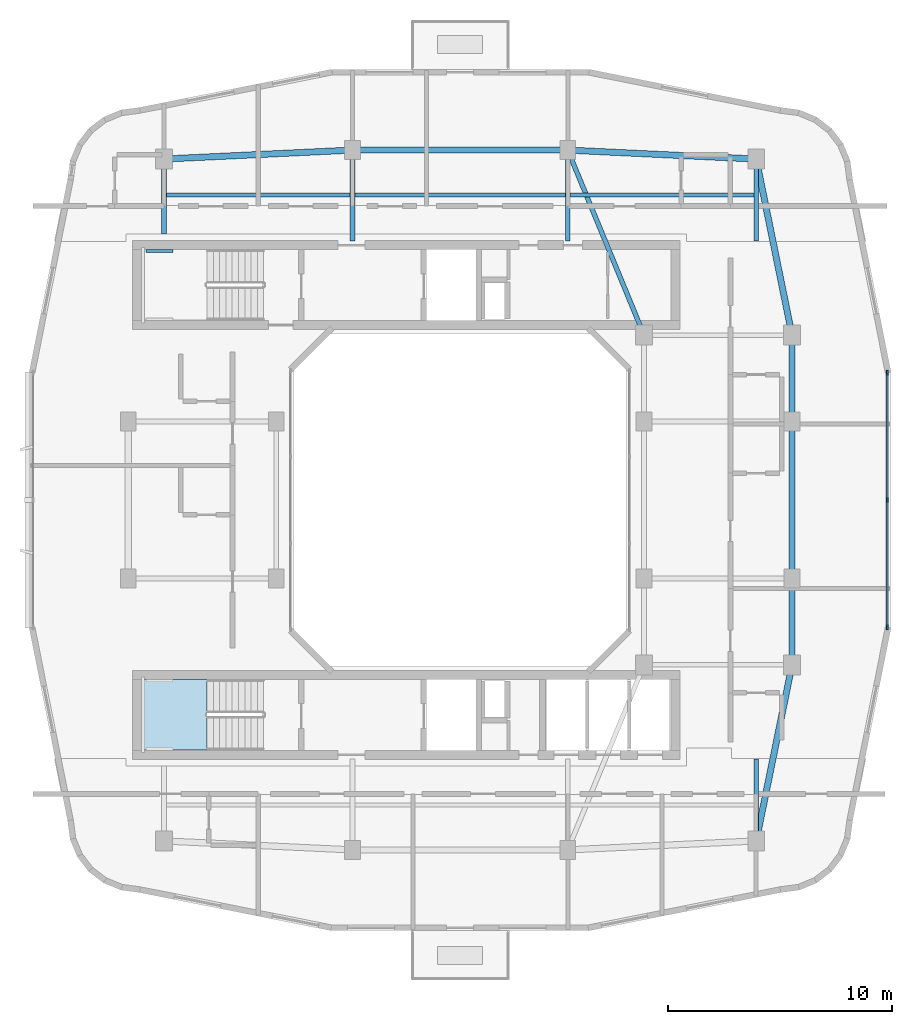
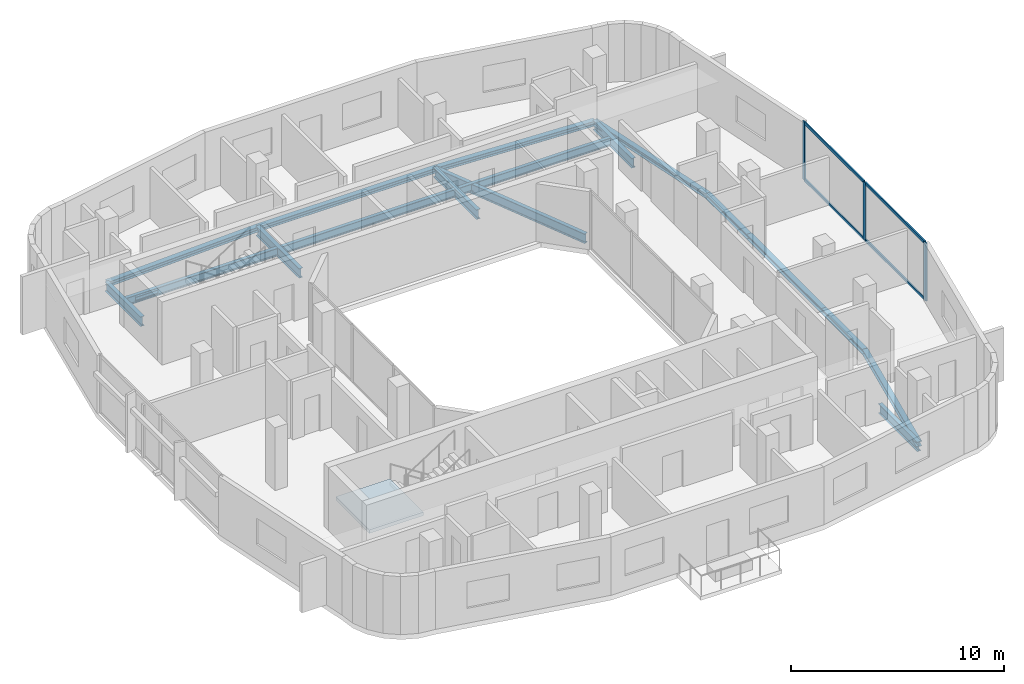
# One storey, part 4 of 13: 18 beams, 7 members, 1 slab, 2 elements without a shape of their own.
"""IFC4 building model written with IfcOpenShell, lengths in metres."""

from ifc_helpers import new_model, si_unit, derived_unit, direction, frame, origin, origin_2d, place, context, subcontext, project, spatial, polyline, rectangle, i_section, outline, extrude, material, layer, layer_set, material_profile, profile_set, type_object, element, aggregate, save


model = new_model("IFC4")

# Units and contexts
model_context = context("Model", 3, precision=1e-05, world=origin(), true_north=direction((0.0, 1.0)))
body_context = subcontext(model_context, "Body", "Model", "MODEL_VIEW")
ifc_project = project(units=[si_unit("LENGTHUNIT", "METRE"), si_unit("AREAUNIT", "SQUARE_METRE"), si_unit("VOLUMEUNIT", "CUBIC_METRE"), si_unit("PLANEANGLEUNIT", "RADIAN"), si_unit("MASSUNIT", "GRAM", prefix="KILO"), derived_unit("THERMALTRANSMITTANCEUNIT", [(si_unit("POWERUNIT", "WATT"), 1), (si_unit("LENGTHUNIT", "METRE"), -2), (si_unit("THERMODYNAMICTEMPERATUREUNIT", "KELVIN"), -1)])], contexts=[model_context])

# Site, building, storey
site_placement = place(None, origin())
site = spatial("IfcSite", under=ifc_project, at=site_placement, CompositionType="ELEMENT")
building_placement = place(site_placement, origin())
building = spatial("IfcBuilding", under=site, at=building_placement, Name="Kivonza Crest Hotel", CompositionType="ELEMENT")
storey_placement = place(building_placement, frame((0.0, 0.0, 231.5)))
storey = spatial("IfcBuildingStorey", under=building, at=storey_placement, Name="L63", CompositionType="ELEMENT", Elevation=231.5)

# Beams
ifc_material_1 = material(Name="Steel S355", Category="steel")
ifc_material_profile_1 = material_profile(ifc_material_1, i_section(OverallWidth=0.280029296875, OverallDepth=0.280029296875, WebThickness=0.010498046875, FlangeThickness=0.01806640625, FilletRadius=0.02392578125, at=origin_2d()), Name="HEB 280")
ifc_profile_set_1 = profile_set([ifc_material_profile_1], Name="Steel S355")
beam_type_1 = type_object("IfcBeamType", Name="BM-HEB280", PredefinedType="SPANDREL", material=ifc_profile_set_1)
beam_1_placement = place(storey_placement, frame((34.199951171875, 9.800048828125, -0.419921875), z_axis=(0.199730733965, 0.979850822273, 0.0), x_axis=(-0.979850822273, 0.199730733965, 0.0)))
element("IfcBeam", 1, at=beam_1_placement, inside=storey, type_object=beam_type_1, Name="Tower T1 L63 perimeter spandrel SE-PSE", PredefinedType="SPANDREL", context=body_context, shape_type="SweptSolid", body=[
    extrude(i_section(OverallWidth=0.280029296875, OverallDepth=0.280029296875, WebThickness=0.010498046875, FlangeThickness=0.01806640625, FilletRadius=0.02392578125, at=origin_2d()), origin(), (0.0, 0.0, 1.0), 8.01123046875),
])
beam_2_placement = place(storey_placement, frame((35.800048828125, 17.64990234375, -0.419921875), z_axis=(0.0, 1.0, 0.0), x_axis=(-1.0, 0.0, 0.0)))
element("IfcBeam", 2, at=beam_2_placement, inside=storey, type_object=beam_type_1, Name="Tower T1 L63 perimeter spandrel PSE-E1", PredefinedType="SPANDREL", context=body_context, shape_type="SweptSolid", body=[
    extrude(i_section(OverallWidth=0.280029296875, OverallDepth=0.280029296875, WebThickness=0.010498046875, FlangeThickness=0.01806640625, FilletRadius=0.02392578125, at=origin_2d()), origin(), (0.0, 0.0, 1.0), 3.85009765625),
])
beam_3_placement = place(storey_placement, frame((35.800048828125, 21.5, -0.419921875), z_axis=(0.0, 1.0, 0.0), x_axis=(-1.0, 0.0, 0.0)))
element("IfcBeam", 3, at=beam_3_placement, inside=storey, type_object=beam_type_1, Name="Tower T1 L63 perimeter spandrel E1-E2", PredefinedType="SPANDREL", context=body_context, shape_type="SweptSolid", body=[
    extrude(i_section(OverallWidth=0.280029296875, OverallDepth=0.280029296875, WebThickness=0.010498046875, FlangeThickness=0.01806640625, FilletRadius=0.02392578125, at=origin_2d()), origin(), (0.0, 0.0, 1.0), 7.0),
])
beam_4_placement = place(storey_placement, frame((35.800048828125, 28.5, -0.419921875), z_axis=(0.0, 1.0, 0.0), x_axis=(-1.0, 0.0, 0.0)))
element("IfcBeam", 4, at=beam_4_placement, inside=storey, type_object=beam_type_1, Name="Tower T1 L63 perimeter spandrel E2-PNE", PredefinedType="SPANDREL", context=body_context, shape_type="SweptSolid", body=[
    extrude(i_section(OverallWidth=0.280029296875, OverallDepth=0.280029296875, WebThickness=0.010498046875, FlangeThickness=0.01806640625, FilletRadius=0.02392578125, at=origin_2d()), origin(), (0.0, 0.0, 1.0), 3.85009765625),
])
beam_5_placement = place(storey_placement, frame((35.800048828125, 32.35009765625, -0.419921875), z_axis=(-0.199730733965, 0.979850822273, 0.0), x_axis=(-0.979850822273, -0.199730733965, 0.0)))
element("IfcBeam", 5, at=beam_5_placement, inside=storey, type_object=beam_type_1, Name="Tower T1 L63 perimeter spandrel PNE-NE", PredefinedType="SPANDREL", context=body_context, shape_type="SweptSolid", body=[
    extrude(i_section(OverallWidth=0.280029296875, OverallDepth=0.280029296875, WebThickness=0.010498046875, FlangeThickness=0.01806640625, FilletRadius=0.02392578125, at=origin_2d()), origin(), (0.0, 0.0, 1.0), 8.01123046875),
])
beam_6_placement = place(storey_placement, frame((34.199951171875, 40.199951171875, -0.419921875), z_axis=(-0.998867283688, 0.047583080799, 0.0), x_axis=(-0.047583080799, -0.998867283688, 0.0)))
element("IfcBeam", 6, at=beam_6_placement, inside=storey, type_object=beam_type_1, Name="Tower T1 L63 perimeter spandrel NE-N2", PredefinedType="SPANDREL", context=body_context, shape_type="SweptSolid", body=[
    extrude(i_section(OverallWidth=0.280029296875, OverallDepth=0.280029296875, WebThickness=0.010498046875, FlangeThickness=0.01806640625, FilletRadius=0.02392578125, at=origin_2d()), origin(), (0.0, 0.0, 1.0), 8.409423828125),
])
beam_7_placement = place(storey_placement, frame((25.800048828125, 40.60009765625, -0.419921875), z_axis=(-1.0, 0.0, 0.0), x_axis=(0.0, -1.0, 0.0)))
element("IfcBeam", 7, at=beam_7_placement, inside=storey, type_object=beam_type_1, Name="Tower T1 L63 perimeter spandrel N2-N1", PredefinedType="SPANDREL", context=body_context, shape_type="SweptSolid", body=[
    extrude(i_section(OverallWidth=0.280029296875, OverallDepth=0.280029296875, WebThickness=0.010498046875, FlangeThickness=0.01806640625, FilletRadius=0.02392578125, at=origin_2d()), origin(), (0.0, 0.0, 1.0), 9.60009765625),
])
beam_8_placement = place(storey_placement, frame((16.199951171875, 40.60009765625, -0.419921875), z_axis=(-0.998867283688, -0.047583080799, 0.0), x_axis=(0.047583080799, -0.998867283688, 0.0)))
element("IfcBeam", 8, at=beam_8_placement, inside=storey, type_object=beam_type_1, Name="Tower T1 L63 perimeter spandrel N1-NW", PredefinedType="SPANDREL", context=body_context, shape_type="SweptSolid", body=[
    extrude(i_section(OverallWidth=0.280029296875, OverallDepth=0.280029296875, WebThickness=0.010498046875, FlangeThickness=0.01806640625, FilletRadius=0.02392578125, at=origin_2d()), origin(), (0.0, 0.0, 1.0), 8.409423828125),
])
ifc_material_profile_2 = material_profile(ifc_material_1, i_section(OverallWidth=0.18994140625, OverallDepth=0.449951171875, WebThickness=0.009521484375, FlangeThickness=0.0146484375, FilletRadius=0.02099609375, at=origin_2d()), Name="IPE 450")
ifc_profile_set_2 = profile_set([ifc_material_profile_2], Name="Steel S355")
beam_type_2 = type_object("IfcBeamType", Name="BM-IPE450", PredefinedType="JOIST", material=ifc_profile_set_2)
beam_9_placement = place(storey_placement, frame((7.8798828125, 38.60009765625, -0.5048828125), z_axis=(1.0, 0.0, 0.0), x_axis=(0.0, 1.0, 0.0)))
element("IfcBeam", 9, at=beam_9_placement, inside=storey, type_object=beam_type_2, Name="Tower T1 L63 North-West floor joist", PredefinedType="JOIST", context=body_context, shape_type="SweptSolid", body=[
    extrude(i_section(OverallWidth=0.18994140625, OverallDepth=0.449951171875, WebThickness=0.009521484375, FlangeThickness=0.0146484375, FilletRadius=0.02099609375, at=origin_2d()), origin(), (0.0, 0.0, 1.0), 8.240234375),
])
beam_10_placement = place(storey_placement, frame((16.280029296875, 38.60009765625, -0.5048828125), z_axis=(1.0, 0.0, 0.0), x_axis=(0.0, 1.0, 0.0)))
element("IfcBeam", 10, at=beam_10_placement, inside=storey, type_object=beam_type_2, Name="Tower T1 L63 North-Mid floor joist", PredefinedType="JOIST", context=body_context, shape_type="SweptSolid", body=[
    extrude(i_section(OverallWidth=0.18994140625, OverallDepth=0.449951171875, WebThickness=0.009521484375, FlangeThickness=0.0146484375, FilletRadius=0.02099609375, at=origin_2d()), origin(), (0.0, 0.0, 1.0), 9.43994140625),
])
beam_11_placement = place(storey_placement, frame((25.8798828125, 38.60009765625, -0.5048828125), z_axis=(1.0, 0.0, 0.0), x_axis=(0.0, 1.0, 0.0)))
element("IfcBeam", 11, at=beam_11_placement, inside=storey, type_object=beam_type_2, Name="Tower T1 L63 North-East floor joist", PredefinedType="JOIST", context=body_context, shape_type="SweptSolid", body=[
    extrude(i_section(OverallWidth=0.18994140625, OverallDepth=0.449951171875, WebThickness=0.009521484375, FlangeThickness=0.0146484375, FilletRadius=0.02099609375, at=origin_2d()), origin(), (0.0, 0.0, 1.0), 8.240234375),
])
ifc_material_profile_3 = material_profile(ifc_material_1, i_section(OverallWidth=0.2099609375, OverallDepth=0.550048828125, WebThickness=0.010986328125, FlangeThickness=0.01708984375, FilletRadius=0.02392578125, at=origin_2d()), Name="IPE 550")
ifc_profile_set_3 = profile_set([ifc_material_profile_3], Name="Steel S355")
beam_type_3 = type_object("IfcBeamType", Name="BM-IPE550", PredefinedType="BEAM", material=ifc_profile_set_3)
beam_12_placement = place(storey_placement, frame((25.800048828125, 40.60009765625, -0.554931640625), z_axis=(0.381022260404, -0.924565864109, 0.0), x_axis=(0.924565864109, 0.381022260404, 0.0)))
element("IfcBeam", 12, at=beam_12_placement, inside=storey, type_object=beam_type_3, Name="Tower T1 L63 primary girder N1-TNE", PredefinedType="BEAM", context=body_context, shape_type="SweptSolid", body=[
    extrude(i_section(OverallWidth=0.2099609375, OverallDepth=0.550048828125, WebThickness=0.010986328125, FlangeThickness=0.01708984375, FilletRadius=0.02392578125, at=origin_2d()), origin(), (0.0, 0.0, 1.0), 8.923095703125),
])
beam_13_placement = place(storey_placement, frame((34.199951171875, 9.800048828125, -0.554931640625), z_axis=(0.0, 1.0, 0.0), x_axis=(-1.0, 0.0, 0.0)))
element("IfcBeam", 13, at=beam_13_placement, inside=storey, type_object=beam_type_3, Name="Tower T1 L63 radial core girder RSE", PredefinedType="BEAM", context=body_context, shape_type="SweptSolid", body=[
    extrude(i_section(OverallWidth=0.2099609375, OverallDepth=0.550048828125, WebThickness=0.010986328125, FlangeThickness=0.01708984375, FilletRadius=0.02392578125, at=origin_2d()), origin(), (0.0, 0.0, 1.0), 3.64990234375),
])
beam_14_placement = place(storey_placement, frame((7.800048828125, 40.199951171875, -0.554931640625), z_axis=(0.0, -1.0, 0.0), x_axis=(1.0, 0.0, 0.0)))
element("IfcBeam", 14, at=beam_14_placement, inside=storey, type_object=beam_type_3, Name="Tower T1 L63 radial core girder RNW", PredefinedType="BEAM", context=body_context, shape_type="SweptSolid", body=[
    extrude(i_section(OverallWidth=0.2099609375, OverallDepth=0.550048828125, WebThickness=0.010986328125, FlangeThickness=0.01708984375, FilletRadius=0.02392578125, at=origin_2d()), origin(), (0.0, 0.0, 1.0), 3.349853515625),
])
for number, where, z_axis, x_axis, name in (
    (15, (16.199951171875, 40.60009765625, -0.554931640625), (0.0, -1.0, 0.0), (1.0, 0.0, 0.0), "Tower T1 L63 radial core girder RN1"),
    (16, (25.800048828125, 40.60009765625, -0.554931640625), (0.0, -1.0, 0.0), (1.0, 0.0, 0.0), "Tower T1 L63 radial core girder RN2"),
):
    element("IfcBeam", number, at=place(storey_placement, frame(where, z_axis=z_axis, x_axis=x_axis)), inside=storey, type_object=beam_type_3, Name=name, PredefinedType="BEAM", context=body_context, shape_type="SweptSolid", body=[
        extrude(i_section(OverallWidth=0.2099609375, OverallDepth=0.550048828125, WebThickness=0.010986328125, FlangeThickness=0.01708984375, FilletRadius=0.02392578125, at=origin_2d()), origin(), (0.0, 0.0, 1.0), 4.050048828125),
    ])
beam_15_placement = place(storey_placement, frame((34.199951171875, 40.199951171875, -0.554931640625), z_axis=(0.0, -1.0, 0.0), x_axis=(1.0, 0.0, 0.0)))
element("IfcBeam", 17, at=beam_15_placement, inside=storey, type_object=beam_type_3, Name="Tower T1 L63 radial core girder RNE", PredefinedType="BEAM", context=body_context, shape_type="SweptSolid", body=[
    extrude(i_section(OverallWidth=0.2099609375, OverallDepth=0.550048828125, WebThickness=0.010986328125, FlangeThickness=0.01708984375, FilletRadius=0.02392578125, at=origin_2d()), origin(), (0.0, 0.0, 1.0), 3.64990234375),
])
ifc_material_profile_4 = material_profile(ifc_material_1, i_section(OverallWidth=0.1201171875, OverallDepth=0.239990234375, WebThickness=0.006103515625, FlangeThickness=0.009765625, FilletRadius=0.014892578125, at=origin_2d()), Name="IPE 240")
ifc_profile_set_4 = profile_set([ifc_material_profile_4], Name="Steel S355")
beam_type_4 = type_object("IfcBeamType", Name="BM-LLDG-240", PredefinedType="BEAM", material=ifc_profile_set_4)
beam_16_placement = place(storey_placement, frame((6.989990234375, 36.10009765625, 1.47998046875), z_axis=(1.0, 0.0, 0.0), x_axis=(0.0, 1.0, 0.0)))
element("IfcBeam", 18, at=beam_16_placement, inside=storey, type_object=beam_type_4, Name="Stair ST-T1-N L63 North landing corbel", PredefinedType="BEAM", context=body_context, shape_type="SweptSolid", body=[
    extrude(i_section(OverallWidth=0.1201171875, OverallDepth=0.239990234375, WebThickness=0.006103515625, FlangeThickness=0.009765625, FilletRadius=0.014892578125, at=origin_2d()), origin(), (0.0, 0.0, 1.0), 1.2099609375),
])

# Curtain wall, members
ifc_material_2 = material(Name="Anodised bronze aluminium and low-E double glazing", Category="aluminium")
ifc_layer_1 = layer(ifc_material_2, 0.179931640625)
ifc_layer_set_1 = layer_set([ifc_layer_1], Name="Anodised bronze aluminium and low-E double glazing")
curtain_wall_type = type_object("IfcCurtainWallType", Name="CW-SYS-3", PredefinedType="NOTDEFINED", material=ifc_layer_set_1)
curtain_wall_placement = place(storey_placement, origin())
curtain_wall = element("IfcCurtainWall", 19, at=curtain_wall_placement, inside=storey, type_object=curtain_wall_type, Name="L63 unitised curtain wall CW-T1-L63-17", PredefinedType="NOTDEFINED")
ifc_material_3 = material(Name="Anodised bronze aluminium", Category="aluminium")
ifc_material_profile_5 = material_profile(ifc_material_3, rectangle(XDim=0.074951171875, YDim=0.219970703125, at=origin_2d()), Name="CW-M 75x220")
ifc_profile_set_5 = profile_set([ifc_material_profile_5], Name="Anodised bronze aluminium")
member_type_1 = type_object("IfcMemberType", Name="CW-MUL-75x220", PredefinedType="MULLION", material=ifc_profile_set_5)
member_1_placement = place(storey_placement, frame((40.0400390625, 19.3173828125, 0.0), z_axis=(0.0, 0.0, 1.0), x_axis=(-1.0, 0.0, 0.0)))
member_1 = element("IfcMember", 20, at=member_1_placement, type_object=member_type_1, Name="CW-3 mullion 1", PredefinedType="MULLION", context=body_context, shape_type="SweptSolid", body=[
    extrude(rectangle(XDim=0.074951171875, YDim=0.219970703125, at=origin_2d()), origin(), (0.0, 0.0, 1.0), 3.320068359375),
])
member_2_placement = place(storey_placement, frame((40.0400390625, 25.0, 0.0), z_axis=(0.0, 0.0, 1.0), x_axis=(-1.0, 0.0, 0.0)))
member_2 = element("IfcMember", 21, at=member_2_placement, type_object=member_type_1, Name="CW-3 mullion 2", PredefinedType="MULLION", context=body_context, shape_type="SweptSolid", body=[
    extrude(rectangle(XDim=0.074951171875, YDim=0.219970703125, at=origin_2d()), origin(), (0.0, 0.0, 1.0), 3.320068359375),
])
member_3_placement = place(storey_placement, frame((40.0400390625, 30.6826171875, 0.0), z_axis=(0.0, 0.0, 1.0), x_axis=(-1.0, 0.0, 0.0)))
member_3 = element("IfcMember", 22, at=member_3_placement, type_object=member_type_1, Name="CW-3 mullion 3", PredefinedType="MULLION", context=body_context, shape_type="SweptSolid", body=[
    extrude(rectangle(XDim=0.074951171875, YDim=0.219970703125, at=origin_2d()), origin(), (0.0, 0.0, 1.0), 3.320068359375),
])
ifc_material_profile_6 = material_profile(ifc_material_3, rectangle(XDim=0.074951171875, YDim=0.159912109375, at=origin_2d()), Name="CW-T 75x160")
ifc_profile_set_6 = profile_set([ifc_material_profile_6], Name="Anodised bronze aluminium")
member_type_2 = type_object("IfcMemberType", Name="CW-TRN-75x160", PredefinedType="USERDEFINED", material=ifc_profile_set_6)
member_4_placement = place(storey_placement, frame((40.0400390625, 19.35498046875, 0.03759765625), z_axis=(0.0, 1.0, 0.0), x_axis=(-1.0, 0.0, 0.0)))
member_4 = element("IfcMember", 23, at=member_4_placement, type_object=member_type_2, Name="CW-3 transom 1.1", ObjectType="TRANSOM", PredefinedType="USERDEFINED", context=body_context, shape_type="SweptSolid", body=[
    extrude(rectangle(XDim=0.074951171875, YDim=0.159912109375, at=origin_2d()), origin(), (0.0, 0.0, 1.0), 5.607421875),
])
member_5_placement = place(storey_placement, frame((40.0400390625, 19.35498046875, 3.282470703125), z_axis=(0.0, 1.0, 0.0), x_axis=(-1.0, 0.0, 0.0)))
member_5 = element("IfcMember", 24, at=member_5_placement, type_object=member_type_2, Name="CW-3 transom 1.2", ObjectType="TRANSOM", PredefinedType="USERDEFINED", context=body_context, shape_type="SweptSolid", body=[
    extrude(rectangle(XDim=0.074951171875, YDim=0.159912109375, at=origin_2d()), origin(), (0.0, 0.0, 1.0), 5.607421875),
])
member_6_placement = place(storey_placement, frame((40.0400390625, 25.03759765625, 0.03759765625), z_axis=(0.0, 1.0, 0.0), x_axis=(-1.0, 0.0, 0.0)))
member_6 = element("IfcMember", 25, at=member_6_placement, type_object=member_type_2, Name="CW-3 transom 2.1", ObjectType="TRANSOM", PredefinedType="USERDEFINED", context=body_context, shape_type="SweptSolid", body=[
    extrude(rectangle(XDim=0.074951171875, YDim=0.159912109375, at=origin_2d()), origin(), (0.0, 0.0, 1.0), 5.607421875),
])
member_7_placement = place(storey_placement, frame((40.0400390625, 25.03759765625, 3.282470703125), z_axis=(0.0, 1.0, 0.0), x_axis=(-1.0, 0.0, 0.0)))
member_7 = element("IfcMember", 26, at=member_7_placement, type_object=member_type_2, Name="CW-3 transom 2.2", ObjectType="TRANSOM", PredefinedType="USERDEFINED", context=body_context, shape_type="SweptSolid", body=[
    extrude(rectangle(XDim=0.074951171875, YDim=0.159912109375, at=origin_2d()), origin(), (0.0, 0.0, 1.0), 5.607421875),
])
aggregate(curtain_wall, [member_1, member_2, member_3, member_4, member_5, member_6, member_7])

# Stair, slab
ifc_material_4 = material(Name="Concrete C40/50", Category="concrete")
stair_type = type_object("IfcStairType", Name="ST-DL-20R", PredefinedType="HALF_TURN_STAIR", material=ifc_material_4)
stair_placement = place(storey_placement, origin())
stair = element("IfcStair", 27, at=stair_placement, inside=storey, type_object=stair_type, Name="L63 Protected Exit Stair ST-T1-S", PredefinedType="HALF_TURN_STAIR")
ifc_layer_2 = layer(ifc_material_4, 0.199951171875)
ifc_layer_set_2 = layer_set([ifc_layer_2], Name="Concrete C40/50")
slab_type = type_object("IfcSlabType", Name="SL-LAND-200", PredefinedType="LANDING", material=ifc_layer_set_2)
slab_placement = place(storey_placement, frame((0.0, 0.0, 1.60009765625)))
slab = element("IfcSlab", 28, at=slab_placement, type_object=slab_type, Name="ST-T1-S landing 1", PredefinedType="LANDING", context=body_context, shape_type="SweptSolid", body=[
    extrude(outline(polyline([(9.719970703125, 17.0), (6.800048828125, 17.0), (6.800048828125, 13.860107421875), (9.719970703125, 13.860107421875), (9.719970703125, 17.0)])), origin(), (0.0, 0.0, 1.0), 0.199951171875),
])
aggregate(stair, [slab])

save(model, "model.ifc")
